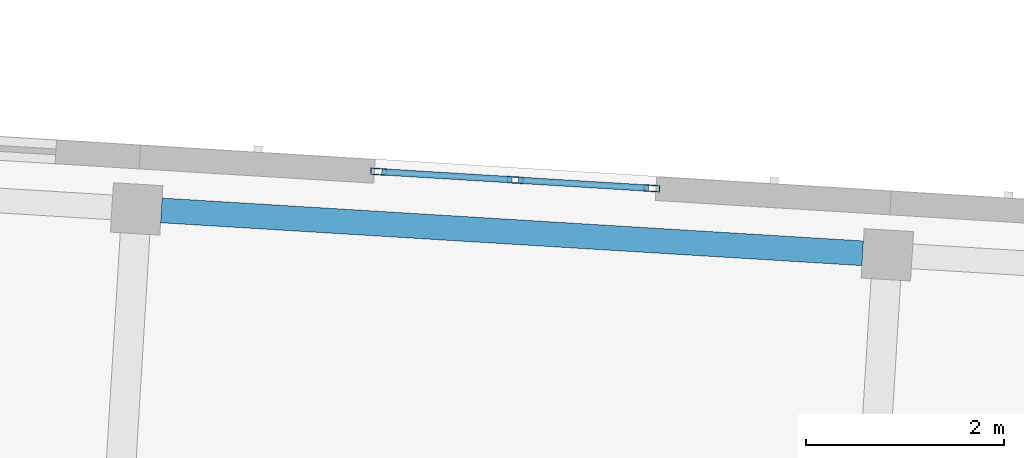
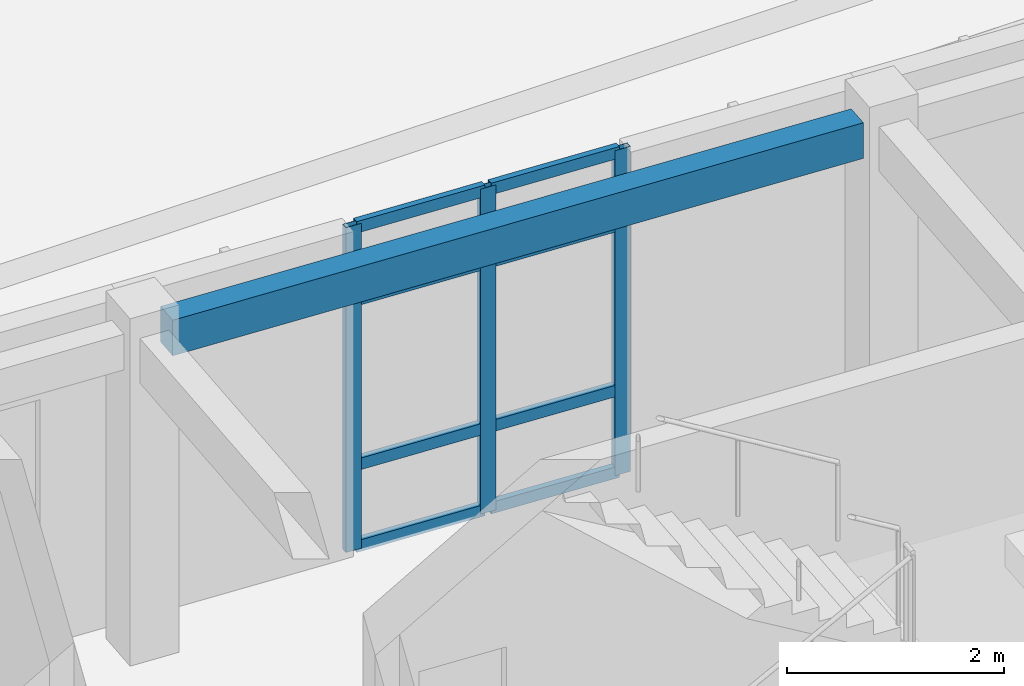
# One storey, part 41 of 150: 11 members, 1 beam, 1 element without a shape of its own.
"""IFC4 building model written with IfcOpenShell, lengths in metres."""

from ifc_helpers import new_model, si_unit, direction, frame, origin, origin_2d, place, context, subcontext, project, spatial, rectangle, hollow_rectangle, extrude, material, material_profile, profile_set, type_object, element, aggregate, save


model = new_model("IFC4")

# Units and contexts
model_context = context("Model", 3, precision=1e-05, world=origin(), true_north=direction((0.0, 1.0)))
body_context = subcontext(model_context, "Body", "Model", "MODEL_VIEW")
ifc_project = project(units=[si_unit("LENGTHUNIT", "METRE"), si_unit("AREAUNIT", "SQUARE_METRE"), si_unit("VOLUMEUNIT", "CUBIC_METRE"), si_unit("PLANEANGLEUNIT", "RADIAN"), si_unit("MASSUNIT", "GRAM", prefix="KILO")], contexts=[model_context])

# Site, building, storey
site_placement = place(None, origin())
site = spatial("IfcSite", under=ifc_project, at=site_placement, CompositionType="ELEMENT")
building_placement = place(site_placement, origin())
building = spatial("IfcBuilding", under=site, at=building_placement, Name="Kestramere Prow Commons", CompositionType="ELEMENT")
storey_placement = place(building_placement, frame((0.0, 0.0, 4.5)))
storey = spatial("IfcBuildingStorey", under=building, at=storey_placement, Name="L01", CompositionType="ELEMENT", Elevation=4.5)

# Curtain wall, members
ifc_material_1 = material(Name="Anodised Aluminium and Low-E Glass", Category="aluminium")
curtain_wall_type = type_object("IfcCurtainWallType", Name="CW-02 Glazed Curtain Wall 2830x3650", PredefinedType="USERDEFINED", material=ifc_material_1)
curtain_wall_placement = place(storey_placement, origin())
curtain_wall = element("IfcCurtainWall", 1, at=curtain_wall_placement, inside=storey, type_object=curtain_wall_type, Name="Block C L01 Stairwell Vertical Glazing 2", ObjectType="GLAZED CURTAIN WALL", PredefinedType="USERDEFINED")
ifc_material_2 = material(Name="Anodised Aluminium 6063-T6", Category="aluminium")
ifc_material_profile_1 = material_profile(ifc_material_2, hollow_rectangle(XDim=0.06494140625, YDim=0.159912109375, WallThickness=0.00390625, at=origin_2d()), Name="ALU-MUL 65x160")
ifc_profile_set_1 = profile_set([ifc_material_profile_1], Name="Anodised Aluminium 6063-T6")
member_type_1 = type_object("IfcMemberType", Name="CW-MUL-65x160", PredefinedType="MULLION", material=ifc_profile_set_1)
member_1_placement = place(storey_placement, frame((70.7275390625, 65.975830078125, 0.0), z_axis=(0.0, 0.0, 1.0), x_axis=(0.061048420708, 0.99813480569, 0.0)))
member_1 = element("IfcMember", 2, at=member_1_placement, type_object=member_type_1, Name="CW-02 mullion 1", PredefinedType="MULLION", context=body_context, shape_type="SweptSolid", body=[
    extrude(hollow_rectangle(XDim=0.06494140625, YDim=0.159912109375, WallThickness=0.00390625, at=origin_2d()), origin(), (0.0, 0.0, 1.0), 3.64990234375),
])
member_2_placement = place(storey_placement, frame((72.107421875, 65.8916015625, 0.0), z_axis=(0.0, 0.0, 1.0), x_axis=(0.061048420708, 0.99813480569, 0.0)))
member_2 = element("IfcMember", 3, at=member_2_placement, type_object=member_type_1, Name="CW-02 mullion 2", PredefinedType="MULLION", context=body_context, shape_type="SweptSolid", body=[
    extrude(hollow_rectangle(XDim=0.06494140625, YDim=0.159912109375, WallThickness=0.00390625, at=origin_2d()), origin(), (0.0, 0.0, 1.0), 3.64990234375),
])
member_3_placement = place(storey_placement, frame((73.4873046875, 65.80712890625, 0.0), z_axis=(0.0, 0.0, 1.0), x_axis=(0.061048420708, 0.99813480569, 0.0)))
member_3 = element("IfcMember", 4, at=member_3_placement, type_object=member_type_1, Name="CW-02 mullion 3", PredefinedType="MULLION", context=body_context, shape_type="SweptSolid", body=[
    extrude(hollow_rectangle(XDim=0.06494140625, YDim=0.159912109375, WallThickness=0.00390625, at=origin_2d()), origin(), (0.0, 0.0, 1.0), 3.64990234375),
])
ifc_material_profile_2 = material_profile(ifc_material_2, hollow_rectangle(XDim=0.06494140625, YDim=0.1298828125, WallThickness=0.00390625, at=origin_2d()), Name="ALU-TRN 65x130")
ifc_profile_set_2 = profile_set([ifc_material_profile_2], Name="Anodised Aluminium 6063-T6")
member_type_2 = type_object("IfcMemberType", Name="CW-TRN-65x130", PredefinedType="USERDEFINED", material=ifc_profile_set_2)
member_4_placement = place(storey_placement, frame((70.759765625, 65.973876953125, 0.032470703125), z_axis=(0.998140248091, -0.060959372865, 0.0), x_axis=(0.060959372865, 0.998140248091, 0.0)))
member_4 = element("IfcMember", 5, at=member_4_placement, type_object=member_type_2, Name="CW-02 transom 1.1", ObjectType="TRANSOM", PredefinedType="USERDEFINED", context=body_context, shape_type="SweptSolid", body=[
    extrude(hollow_rectangle(XDim=0.06494140625, YDim=0.1298828125, WallThickness=0.00390625, at=origin_2d()), origin(), (0.0, 0.0, 1.0), 1.317626953125),
])
member_5_placement = place(storey_placement, frame((70.759765625, 65.973876953125, 0.949951171875), z_axis=(0.998140248091, -0.060959372865, 0.0), x_axis=(0.060959372865, 0.998140248091, 0.0)))
member_5 = element("IfcMember", 6, at=member_5_placement, type_object=member_type_2, Name="CW-02 transom 1.2", ObjectType="TRANSOM", PredefinedType="USERDEFINED", context=body_context, shape_type="SweptSolid", body=[
    extrude(hollow_rectangle(XDim=0.06494140625, YDim=0.1298828125, WallThickness=0.00390625, at=origin_2d()), origin(), (0.0, 0.0, 1.0), 1.317626953125),
])
member_6_placement = place(storey_placement, frame((70.759765625, 65.973876953125, 2.800048828125), z_axis=(0.998140248091, -0.060959372865, 0.0), x_axis=(0.060959372865, 0.998140248091, 0.0)))
member_6 = element("IfcMember", 7, at=member_6_placement, type_object=member_type_2, Name="CW-02 transom 1.3", ObjectType="TRANSOM", PredefinedType="USERDEFINED", context=body_context, shape_type="SweptSolid", body=[
    extrude(hollow_rectangle(XDim=0.06494140625, YDim=0.1298828125, WallThickness=0.00390625, at=origin_2d()), origin(), (0.0, 0.0, 1.0), 1.317626953125),
])
member_7_placement = place(storey_placement, frame((70.759765625, 65.973876953125, 3.617431640625), z_axis=(0.998140248091, -0.060959372865, 0.0), x_axis=(0.060959372865, 0.998140248091, 0.0)))
member_7 = element("IfcMember", 8, at=member_7_placement, type_object=member_type_2, Name="CW-02 transom 1.4", ObjectType="TRANSOM", PredefinedType="USERDEFINED", context=body_context, shape_type="SweptSolid", body=[
    extrude(hollow_rectangle(XDim=0.06494140625, YDim=0.1298828125, WallThickness=0.00390625, at=origin_2d()), origin(), (0.0, 0.0, 1.0), 1.317626953125),
])
member_8_placement = place(storey_placement, frame((72.139892578125, 65.889404296875, 0.032470703125), z_axis=(0.998139559366, -0.06097064891, 0.0), x_axis=(0.06097064891, 0.998139559366, 0.0)))
member_8 = element("IfcMember", 9, at=member_8_placement, type_object=member_type_2, Name="CW-02 transom 2.1", ObjectType="TRANSOM", PredefinedType="USERDEFINED", context=body_context, shape_type="SweptSolid", body=[
    extrude(hollow_rectangle(XDim=0.06494140625, YDim=0.1298828125, WallThickness=0.00390625, at=origin_2d()), origin(), (0.0, 0.0, 1.0), 1.3173828125),
])
member_9_placement = place(storey_placement, frame((72.139892578125, 65.889404296875, 0.949951171875), z_axis=(0.998139559366, -0.06097064891, 0.0), x_axis=(0.06097064891, 0.998139559366, 0.0)))
member_9 = element("IfcMember", 10, at=member_9_placement, type_object=member_type_2, Name="CW-02 transom 2.2", ObjectType="TRANSOM", PredefinedType="USERDEFINED", context=body_context, shape_type="SweptSolid", body=[
    extrude(hollow_rectangle(XDim=0.06494140625, YDim=0.1298828125, WallThickness=0.00390625, at=origin_2d()), origin(), (0.0, 0.0, 1.0), 1.3173828125),
])
member_10_placement = place(storey_placement, frame((72.139892578125, 65.889404296875, 2.800048828125), z_axis=(0.998139559366, -0.06097064891, 0.0), x_axis=(0.06097064891, 0.998139559366, 0.0)))
member_10 = element("IfcMember", 11, at=member_10_placement, type_object=member_type_2, Name="CW-02 transom 2.3", ObjectType="TRANSOM", PredefinedType="USERDEFINED", context=body_context, shape_type="SweptSolid", body=[
    extrude(hollow_rectangle(XDim=0.06494140625, YDim=0.1298828125, WallThickness=0.00390625, at=origin_2d()), origin(), (0.0, 0.0, 1.0), 1.3173828125),
])
member_11_placement = place(storey_placement, frame((72.139892578125, 65.889404296875, 3.617431640625), z_axis=(0.998139559366, -0.06097064891, 0.0), x_axis=(0.06097064891, 0.998139559366, 0.0)))
member_11 = element("IfcMember", 12, at=member_11_placement, type_object=member_type_2, Name="CW-02 transom 2.4", ObjectType="TRANSOM", PredefinedType="USERDEFINED", context=body_context, shape_type="SweptSolid", body=[
    extrude(hollow_rectangle(XDim=0.06494140625, YDim=0.1298828125, WallThickness=0.00390625, at=origin_2d()), origin(), (0.0, 0.0, 1.0), 1.3173828125),
])
aggregate(curtain_wall, [member_1, member_2, member_3, member_4, member_5, member_6, member_7, member_8, member_9, member_10, member_11])

# Beam
ifc_material_3 = material(Name="Precast concrete C40/50", Category="concrete")
ifc_material_profile_3 = material_profile(ifc_material_3, rectangle(XDim=0.25, YDim=0.39990234375, at=origin_2d()), Name="PC-SP 250x400")
ifc_profile_set_3 = profile_set([ifc_material_profile_3], Name="Precast concrete C40/50")
beam_type = type_object("IfcBeamType", Name="SP-EXT-01 PC-SP 250x400", PredefinedType="SPANDREL", material=ifc_profile_set_3)
beam_placement = place(storey_placement, frame((68.531982421875, 65.584228515625, 3.449951171875), z_axis=(0.998135568114, -0.061035953884, 0.0), x_axis=(0.061035953884, 0.998135568114, 0.0)))
element("IfcBeam", 13, at=beam_placement, inside=storey, type_object=beam_type, Name="Block C L01 Longitudinal Beam 4-2", PredefinedType="SPANDREL", context=body_context, shape_type="SweptSolid", body=[
    extrude(rectangle(XDim=0.25, YDim=0.39990234375, at=origin_2d()), origin(), (0.0, 0.0, 1.0), 7.099853515625),
])

save(model, "model.ifc")
